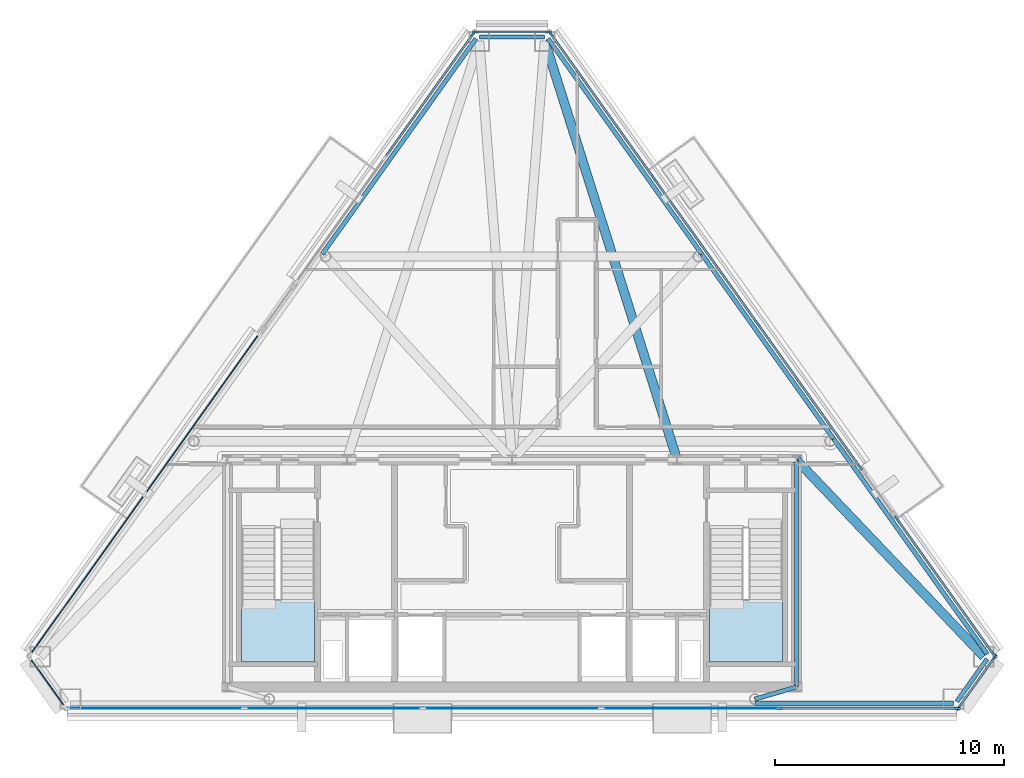
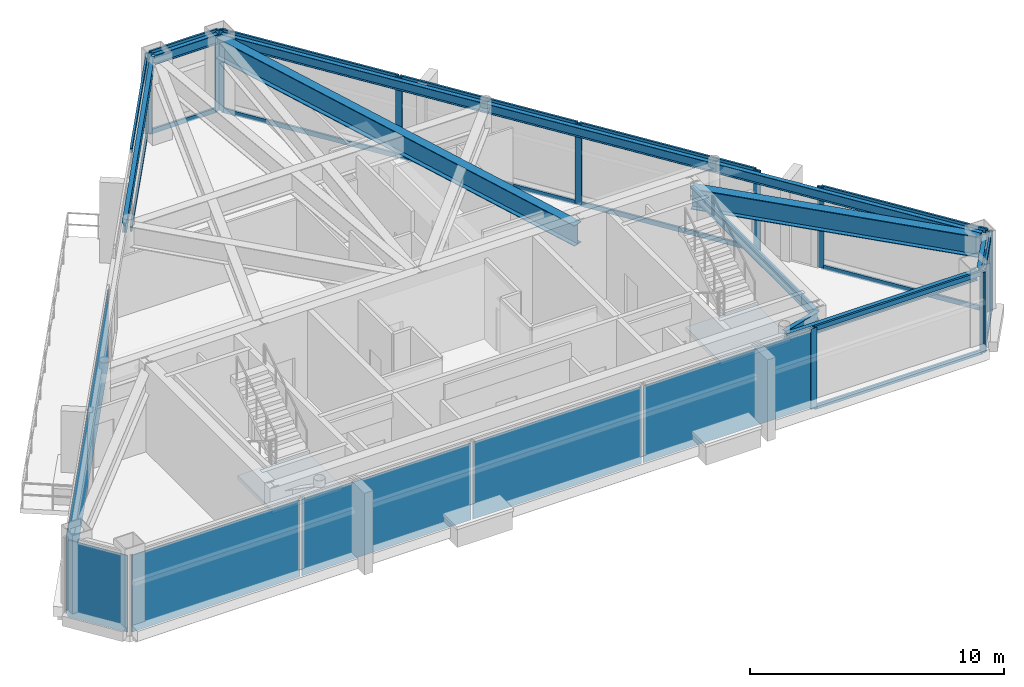
# One storey, part 2 of 7: 29 members, 11 beams, 7 plates, 2 slabs, 10 elements without a shape of their own.
"""IFC4 building model written with IfcOpenShell, lengths in metres."""

import ifcopenshell
import ifcopenshell.guid

model = None  # the IFC model being written
_history = None  # IfcOwnerHistory: only IFC2X3 demands one
_inside = {}  # id of a spatial element -> (the spatial element, [elements in it])
_under = {}  # id of a project, library or spatial element -> (it, [spatial elements below it])
_declared = {}  # id of a project -> (the project, [libraries it declares])
_typed = {}  # id of a type object -> (the type object, [elements of that type])
_made_of = {}  # id of a material, layer set ... -> (it, [elements and type objects made of it])


def new_model(schema):
    """Start an empty IFC model of exactly this schema.

    Asked for "IFC4X3", IfcOpenShell would pick the latest addendum, in which some entities
    have other attributes; the version numbers below select the first issue.
    IFC2X3 requires an IfcOwnerHistory on every rooted entity: one is made here for all.
    """
    global model, _history
    if schema == "IFC4X3":
        model = ifcopenshell.file(schema_version=(4, 3, 0, 0))
    else:
        model = ifcopenshell.file(schema=schema)
    _inside.clear()
    _under.clear()
    _declared.clear()
    _typed.clear()
    _made_of.clear()
    _history = None
    if model.schema == "IFC2X3":
        org = make("IfcOrganization", Name="unknown")
        user = make(
            "IfcPersonAndOrganization",
            ThePerson=make("IfcPerson", FamilyName="unknown"),
            TheOrganization=org,
        )
        app = make(
            "IfcApplication",
            ApplicationDeveloper=org,
            Version="unknown",
            ApplicationFullName="unknown",
            ApplicationIdentifier="unknown",
        )
        _history = make(
            "IfcOwnerHistory",
            OwningUser=user,
            OwningApplication=app,
            ChangeAction="ADDED",
            CreationDate=0,
        )
    return model


def make(cls, **values):
    """One entity of the class cls with the attributes given. An attribute that is None is left unset."""
    return model.create_entity(
        cls, **{name: value for name, value in values.items() if value is not None}
    )


def rooted(cls, **values):
    """An entity with a GlobalId (a new one), such as an element, a storey or a relation."""
    return make(cls, GlobalId=ifcopenshell.guid.new(), OwnerHistory=_history, **values)


def si_unit(unit_type, name, prefix=None):
    """IfcSIUnit, for example si_unit("LENGTHUNIT", "METRE", prefix="MILLI")."""
    return make("IfcSIUnit", UnitType=unit_type, Prefix=prefix, Name=name)


def assignment(units):
    """IfcUnitAssignment: the units of a project."""
    return None if units is None else make("IfcUnitAssignment", Units=units)


def point(xyz):
    """IfcCartesianPoint."""
    return None if xyz is None else make("IfcCartesianPoint", Coordinates=xyz)


def direction(xyz):
    """IfcDirection."""
    return None if xyz is None else make("IfcDirection", DirectionRatios=xyz)


def frame(location, z_axis=None, x_axis=None):
    """IfcAxis2Placement3D, a coordinate frame: its origin and axes. An axis left out is left unset."""
    return make(
        "IfcAxis2Placement3D",
        Location=point(location),
        Axis=direction(z_axis),
        RefDirection=direction(x_axis),
    )


def frame_2d(location, x_axis=None):
    """IfcAxis2Placement2D, a coordinate frame in the plane: its origin and x axis."""
    return make(
        "IfcAxis2Placement2D", Location=point(location), RefDirection=direction(x_axis)
    )


def origin():
    """The frame at (0, 0, 0) with its axes left unset."""
    return frame((0.0, 0.0, 0.0))


def origin_2d():
    """The frame at (0, 0) in the plane with its x axis left unset."""
    return frame_2d((0.0, 0.0))


def place(relative_to, where):
    """IfcLocalPlacement: puts the frame where relative to a parent placement (None: the world)."""
    return make(
        "IfcLocalPlacement", PlacementRelTo=relative_to, RelativePlacement=where
    )


def context(
    kind, dimensions, precision=None, world=None, true_north=None, identifier=None
):
    """IfcGeometricRepresentationContext, for example the 3D "Model" context."""
    return make(
        "IfcGeometricRepresentationContext",
        ContextIdentifier=identifier,
        ContextType=kind,
        CoordinateSpaceDimension=dimensions,
        Precision=precision,
        WorldCoordinateSystem=world,
        TrueNorth=true_north,
    )


def subcontext(parent, identifier, kind, view, scale=None):
    """IfcGeometricRepresentationSubContext, for example "Body" below "Model"."""
    return make(
        "IfcGeometricRepresentationSubContext",
        ContextIdentifier=identifier,
        ContextType=kind,
        ParentContext=parent,
        TargetScale=scale,
        TargetView=view,
    )


def project(units=None, contexts=None):
    """IfcProject with its units and contexts."""
    return rooted(
        "IfcProject",
        Name="project",
        RepresentationContexts=contexts,
        UnitsInContext=assignment(units),
    )


def spatial(cls, under=None, at=None, **own):
    """A site, building, storey or space (cls), placed at a placement, below another one or the project."""
    s = rooted(cls, ObjectPlacement=at, **own)
    if under is not None:
        _under.setdefault(under.id(), (under, []))[1].append(s)
    return s


def polyline(points):
    """IfcPolyline through the points."""
    return make("IfcPolyline", Points=[point(p) for p in points])


def profile(cls, at=None, kind="AREA", **sizes):
    """A parametric profile (cls). Its sizes go by their IFC names, for example OverallWidth=200.0."""
    return make(cls, ProfileType=kind, Position=at, **sizes)


def rectangle(**sizes):
    """IfcRectangleProfileDef."""
    return profile("IfcRectangleProfileDef", **sizes)


def i_section(**sizes):
    """IfcIShapeProfileDef."""
    return profile("IfcIShapeProfileDef", **sizes)


def outline(outer, holes=None, kind="AREA"):
    """IfcArbitraryClosedProfileDef: a profile drawn as a closed curve; with holes, ...WithVoids."""
    if holes is None:
        return make("IfcArbitraryClosedProfileDef", ProfileType=kind, OuterCurve=outer)
    return make(
        "IfcArbitraryProfileDefWithVoids",
        ProfileType=kind,
        OuterCurve=outer,
        InnerCurves=holes,
    )


def extrude(swept, where, along, depth):
    """IfcExtrudedAreaSolid: the profile swept, set in the frame where, extruded along a direction by depth."""
    return make(
        "IfcExtrudedAreaSolid",
        SweptArea=swept,
        Position=where,
        ExtrudedDirection=direction(along),
        Depth=depth,
    )


def shape(context_of_items, identifier, shape_type, items):
    """IfcShapeRepresentation: the items that make up one representation, for example the "Body"."""
    return make(
        "IfcShapeRepresentation",
        ContextOfItems=context_of_items,
        RepresentationIdentifier=identifier,
        RepresentationType=shape_type,
        Items=items,
    )


def source(mapping_origin, context_of_items, identifier, shape_type, items):
    """IfcRepresentationMap: a shape defined once, which mapped items show again and again."""
    return make(
        "IfcRepresentationMap",
        MappingOrigin=mapping_origin,
        MappedRepresentation=shape(context_of_items, identifier, shape_type, items),
    )


def transform(
    local_origin,
    x_axis=None,
    y_axis=None,
    z_axis=None,
    scale=None,
    scale2=None,
    scale3=None,
    uniform=True,
):
    """IfcCartesianTransformationOperator3D, or its non-uniform kind. x_axis, y_axis, z_axis: its Axis1, 2, 3."""
    if uniform:
        return make(
            "IfcCartesianTransformationOperator3D",
            Axis1=direction(x_axis),
            Axis2=direction(y_axis),
            LocalOrigin=point(local_origin),
            Scale=scale,
            Axis3=direction(z_axis),
        )
    return make(
        "IfcCartesianTransformationOperator3DnonUniform",
        Axis1=direction(x_axis),
        Axis2=direction(y_axis),
        LocalOrigin=point(local_origin),
        Scale=scale,
        Axis3=direction(z_axis),
        Scale2=scale2,
        Scale3=scale3,
    )


def mapped(mapping_source, mapping_target):
    """IfcMappedItem: shows the shape of a source again, moved by a transform."""
    return make(
        "IfcMappedItem", MappingSource=mapping_source, MappingTarget=mapping_target
    )


def material(Name=None, Category=None):
    """IfcMaterial."""
    return make("IfcMaterial", Name=Name, Category=Category)


def layer(
    of_material, thickness, ventilated=None, Name=None, Category=None, Priority=None
):
    """IfcMaterialLayer: one layer of a wall or slab, of a material (None: an air gap)."""
    return make(
        "IfcMaterialLayer",
        Material=of_material,
        LayerThickness=thickness,
        IsVentilated=ventilated,
        Name=Name,
        Category=Category,
        Priority=Priority,
    )


def layer_set(layers, Name=None):
    """IfcMaterialLayerSet."""
    return make("IfcMaterialLayerSet", MaterialLayers=layers, LayerSetName=Name)


def material_profile(
    of_material, cross_section, Name=None, Category=None, Priority=None
):
    """IfcMaterialProfile: a cross section and its material."""
    return make(
        "IfcMaterialProfile",
        Name=Name,
        Material=of_material,
        Profile=cross_section,
        Priority=Priority,
        Category=Category,
    )


def profile_set(profiles, Name=None, composite=None):
    """IfcMaterialProfileSet."""
    return make(
        "IfcMaterialProfileSet",
        Name=Name,
        MaterialProfiles=profiles,
        CompositeProfile=composite,
    )


def made_of(thing, what):
    """Note that an element or type object is made of a material, layer set ...; save() writes the relation."""
    if what is not None:
        _made_of.setdefault(what.id(), (what, []))[1].append(thing)
    return thing


def type_object(cls, material=None, **own):
    """A type object (cls), such as IfcWallType, which elements share."""
    return made_of(rooted(cls, **own), material)


def type_shapes(of_type, sources):
    """Give a type object the sources (RepresentationMaps) that its elements show as mapped items."""
    of_type.RepresentationMaps = sources


def element(
    cls,
    number,
    at=None,
    inside=None,
    cuts=None,
    type_object=None,
    material=None,
    context=None,
    identifier="Body",
    shape_type=None,
    held_by="IfcProductDefinitionShape",
    body=None,
    shapes=None,
    **own,
):
    """One element of the class cls, such as IfcWall. Its Tag is "e" and its number.

    at: its placement. inside: the storey or other place that contains it. cuts: it is an
    opening in that element (IfcRelVoidsElement). A single representation is given by context,
    identifier, shape_type and body (its items); several are given by shapes. held_by: the class
    of the entity that holds the representations. save() writes the other relations.
    """
    e = rooted(cls, Tag="e%d" % number, ObjectPlacement=at, **own)
    if body is not None:
        shapes = [shape(context, identifier, shape_type, body)]
    if shapes is not None:
        e.Representation = make(held_by, Representations=shapes)
    if inside is not None:
        _inside.setdefault(inside.id(), (inside, []))[1].append(e)
    if cuts is not None:
        rooted(
            "IfcRelVoidsElement", RelatingBuildingElement=cuts, RelatedOpeningElement=e
        )
    if type_object is not None:
        _typed.setdefault(type_object.id(), (type_object, []))[1].append(e)
    return made_of(e, material)


def aggregate(whole, parts):
    """IfcRelAggregates: a whole, such as a stair, and the parts it consists of."""
    return rooted("IfcRelAggregates", RelatingObject=whole, RelatedObjects=parts)


def save(model, path):
    """Write the relations noted so far, then the file.

    IfcRelAggregates (storeys below a building ...), IfcRelContainedInSpatialStructure (elements
    in a storey), IfcRelDefinesByType, IfcRelAssociatesMaterial and IfcRelDeclares: one each for
    every whole, place, type object, material and project.
    """
    for whole, parts in _under.values():
        aggregate(whole, parts)
    for where, things in _inside.values():
        rooted(
            "IfcRelContainedInSpatialStructure",
            RelatedElements=things,
            RelatingStructure=where,
        )
    for kind, things in _typed.values():
        rooted("IfcRelDefinesByType", RelatedObjects=things, RelatingType=kind)
    for what, things in _made_of.values():
        rooted("IfcRelAssociatesMaterial", RelatedObjects=things, RelatingMaterial=what)
    for by, libraries in _declared.values():
        rooted("IfcRelDeclares", RelatingContext=by, RelatedDefinitions=libraries)
    model.write(path)


model = new_model("IFC4")

# Units and contexts
model_context = context("Model", 3, precision=1e-05, world=origin(), true_north=direction((0.0, 1.0)))
body_context = subcontext(model_context, "Body", "Model", "MODEL_VIEW")
ifc_project = project(units=[si_unit("LENGTHUNIT", "METRE"), si_unit("AREAUNIT", "SQUARE_METRE"), si_unit("VOLUMEUNIT", "CUBIC_METRE"), si_unit("PLANEANGLEUNIT", "RADIAN"), si_unit("MASSUNIT", "GRAM", prefix="KILO")], contexts=[model_context])

# Site, building, storey
site_placement = place(None, origin())
site = spatial("IfcSite", under=ifc_project, at=site_placement, CompositionType="ELEMENT")
building_placement = place(site_placement, origin())
building = spatial("IfcBuilding", under=site, at=building_placement, Name="Talgorran Terracotta Tower", CompositionType="ELEMENT")
storey_placement = place(building_placement, frame((0.0, 0.0, 293.39990234375)))
storey = spatial("IfcBuildingStorey", under=building, at=storey_placement, Name="L77", CompositionType="ELEMENT", Elevation=293.39990234375)

# Beams
ifc_material_1 = material(Name="Steel Grade 350 (350L0)", Category="steel")
ifc_material_profile_1 = material_profile(ifc_material_1, i_section(OverallWidth=0.39990234375, OverallDepth=1.0, WebThickness=0.01611328125, FlangeThickness=0.031005859375, at=origin_2d()), Name="1000WB296")
ifc_profile_set_1 = profile_set([ifc_material_profile_1], Name="Steel Grade 350 (350L0)")
beam_type_1 = type_object("IfcBeamType", Name="BM_1000WB296", PredefinedType="BEAM", material=ifc_profile_set_1)
beam_1_placement = place(storey_placement, frame((7.199951171875, -4.199951171875, 3.380126953125), z_axis=(-0.301538397756, 0.953454033857, 0.0), x_axis=(-0.953454033857, -0.301538397756, 0.0)))
element("IfcBeam", 1, at=beam_1_placement, inside=storey, type_object=beam_type_1, Name="L77 Observation/Crown Girder OG2", PredefinedType="BEAM", context=body_context, shape_type="SweptSolid", body=[
    extrude(i_section(OverallWidth=0.39990234375, OverallDepth=1.0, WebThickness=0.01611328125, FlangeThickness=0.031005859375, at=origin_2d()), origin(), (0.0, 0.0, 1.0), 19.145751953125),
])
beam_2_placement = place(storey_placement, frame((12.39990234375, -4.199951171875, 3.380126953125), z_axis=(0.689671131697, -0.724122731382, 0.0), x_axis=(0.724122731382, 0.689671131697, 0.0)))
element("IfcBeam", 2, at=beam_2_placement, inside=storey, type_object=beam_type_1, Name="L77 Observation/Crown Girder OG7", PredefinedType="BEAM", context=body_context, shape_type="SweptSolid", body=[
    extrude(i_section(OverallWidth=0.39990234375, OverallDepth=1.0, WebThickness=0.01611328125, FlangeThickness=0.031005859375, at=origin_2d()), origin(), (0.0, 0.0, 1.0), 11.841552734375),
])
ifc_material_2 = material(Name="Steel S355 (300PLUS)", Category="steel")
ifc_material_profile_2 = material_profile(ifc_material_2, i_section(OverallWidth=0.18994140625, OverallDepth=0.45703125, WebThickness=0.009033203125, FlangeThickness=0.014404296875, at=origin_2d()), Name="460UB74.6")
ifc_profile_set_2 = profile_set([ifc_material_profile_2], Name="Steel S355 (300PLUS)")
beam_type_2 = type_object("IfcBeamType", Name="BM_SP_460UB74", PredefinedType="SPANDREL", material=ifc_profile_set_2)
beam_3_placement = place(storey_placement, frame((10.58349609375, -14.81005859375, 3.651611328125), z_axis=(1.0, 0.0, 0.0), x_axis=(0.0, 1.0, 0.0)))
element("IfcBeam", 3, at=beam_3_placement, inside=storey, type_object=beam_type_2, Name="L77 Perimeter Spandrel Beam FC2-MC3", PredefinedType="SPANDREL", context=body_context, shape_type="SweptSolid", body=[
    extrude(i_section(OverallWidth=0.18994140625, OverallDepth=0.45703125, WebThickness=0.009033203125, FlangeThickness=0.014404296875, at=origin_2d()), origin(), (0.0, 0.0, 1.0), 8.659423828125),
])
beam_4_placement = place(storey_placement, frame((19.389404296875, -14.734619140625, 3.651611328125), z_axis=(0.580772007805, 0.814066259557, 0.0), x_axis=(-0.814066259557, 0.580772007805, 0.0)))
element("IfcBeam", 4, at=beam_4_placement, inside=storey, type_object=beam_type_2, Name="L77 Perimeter Spandrel Beam MC3-MC4", PredefinedType="SPANDREL", context=body_context, shape_type="SweptSolid", body=[
    extrude(i_section(OverallWidth=0.18994140625, OverallDepth=0.45703125, WebThickness=0.009033203125, FlangeThickness=0.014404296875, at=origin_2d()), origin(), (0.0, 0.0, 1.0), 2.279296875),
])
beam_5_placement = place(storey_placement, frame((20.713134765625, -12.670166015625, 3.651611328125), z_axis=(-0.580753577836, 0.81407940757, 0.0), x_axis=(-0.81407940757, -0.580753577836, 0.0)))
element("IfcBeam", 5, at=beam_5_placement, inside=storey, type_object=beam_type_2, Name="L77 Perimeter Spandrel Beam MC4-FC3", PredefinedType="SPANDREL", context=body_context, shape_type="SweptSolid", body=[
    extrude(i_section(OverallWidth=0.18994140625, OverallDepth=0.45703125, WebThickness=0.009033203125, FlangeThickness=0.014404296875, at=origin_2d()), origin(), (0.0, 0.0, 1.0), 11.534912109375),
])
beam_6_placement = place(storey_placement, frame((14.01416015625, -3.27978515625, 3.651611328125), z_axis=(-0.58076625008, 0.814070367209, 0.0), x_axis=(-0.814070367209, -0.58076625008, 0.0)))
element("IfcBeam", 6, at=beam_6_placement, inside=storey, type_object=beam_type_2, Name="L77 Perimeter Spandrel Beam FC3-FC4", PredefinedType="SPANDREL", context=body_context, shape_type="SweptSolid", body=[
    extrude(i_section(OverallWidth=0.18994140625, OverallDepth=0.45703125, WebThickness=0.009033203125, FlangeThickness=0.014404296875, at=origin_2d()), origin(), (0.0, 0.0, 1.0), 9.88671875),
])
beam_7_placement = place(storey_placement, frame((8.272216796875, 4.768798828125, 3.651611328125), z_axis=(-0.580753577836, 0.81407940757, 0.0), x_axis=(-0.81407940757, -0.580753577836, 0.0)))
element("IfcBeam", 7, at=beam_7_placement, inside=storey, type_object=beam_type_2, Name="L77 Perimeter Spandrel Beam FC4-MC5", PredefinedType="SPANDREL", context=body_context, shape_type="SweptSolid", body=[
    extrude(i_section(OverallWidth=0.18994140625, OverallDepth=0.45703125, WebThickness=0.009033203125, FlangeThickness=0.014404296875, at=origin_2d()), origin(), (0.0, 0.0, 1.0), 11.534912109375),
])
beam_8_placement = place(storey_placement, frame((1.4267578125, 14.234619140625, 3.651611328125), z_axis=(-1.0, 0.0, 0.0), x_axis=(0.0, -1.0, 0.0)))
element("IfcBeam", 8, at=beam_8_placement, inside=storey, type_object=beam_type_2, Name="L77 Perimeter Spandrel Beam MC5-MC6", PredefinedType="SPANDREL", context=body_context, shape_type="SweptSolid", body=[
    extrude(i_section(OverallWidth=0.18994140625, OverallDepth=0.45703125, WebThickness=0.009033203125, FlangeThickness=0.014404296875, at=origin_2d()), origin(), (0.0, 0.0, 1.0), 2.853515625),
])
beam_9_placement = place(storey_placement, frame((-1.5732421875, 14.1591796875, 3.651611328125), z_axis=(-0.580753577836, -0.81407940757, 0.0), x_axis=(0.81407940757, -0.580753577836, 0.0)))
element("IfcBeam", 9, at=beam_9_placement, inside=storey, type_object=beam_type_2, Name="L77 Perimeter Spandrel Beam MC6-FC5", PredefinedType="SPANDREL", context=body_context, shape_type="SweptSolid", body=[
    extrude(i_section(OverallWidth=0.18994140625, OverallDepth=0.45703125, WebThickness=0.009033203125, FlangeThickness=0.014404296875, at=origin_2d()), origin(), (0.0, 0.0, 1.0), 11.534912109375),
])
beam_10_placement = place(storey_placement, frame((12.39990234375, -14.10009765625, 3.651611328125), z_axis=(-0.96, -0.28, 0.0), x_axis=(0.28, -0.96, 0.0)))
element("IfcBeam", 10, at=beam_10_placement, inside=storey, type_object=beam_type_2, Name="L77 South-East Core Tie Beam", PredefinedType="SPANDREL", context=body_context, shape_type="SweptSolid", body=[
    extrude(i_section(OverallWidth=0.18994140625, OverallDepth=0.45703125, WebThickness=0.009033203125, FlangeThickness=0.014404296875, at=origin_2d()), origin(), (0.0, 0.0, 1.0), 1.89208984375),
])
beam_11_placement = place(storey_placement, frame((12.39990234375, -14.10009765625, 3.651611328125), z_axis=(0.0, 1.0, 0.0), x_axis=(-1.0, 0.0, 0.0)))
element("IfcBeam", 11, at=beam_11_placement, inside=storey, type_object=beam_type_2, Name="L77 Core Frame Beam CFE", PredefinedType="SPANDREL", context=body_context, shape_type="SweptSolid", body=[
    extrude(i_section(OverallWidth=0.18994140625, OverallDepth=0.45703125, WebThickness=0.009033203125, FlangeThickness=0.014404296875, at=origin_2d()), origin(), (0.0, 0.0, 1.0), 9.900146484375),
])

# Curtain wall, members
ifc_material_3 = material(Name="Structural Laminated Low-Iron")
ifc_layer_1 = layer(ifc_material_3, 0.239990234375, Name="CW_SYS5_SKY_OBS")
ifc_layer_set_1 = layer_set([ifc_layer_1], Name="Structural Laminated Low-Iron")
curtain_wall_type = type_object("IfcCurtainWallType", Name="CW_SYS5_SKY_OBS", PredefinedType="NOTDEFINED", material=ifc_layer_set_1)
curtain_wall_1_placement = place(storey_placement, origin())
curtain_wall_1 = element("IfcCurtainWall", 12, at=curtain_wall_1_placement, inside=storey, type_object=curtain_wall_type, Name="CW-L77-F1", PredefinedType="NOTDEFINED")
ifc_material_4 = material(Name="Architectural Aluminium 6063-T6", Category="aluminium")
ifc_material_profile_3 = material_profile(ifc_material_4, rectangle(XDim=0.090087890625, YDim=0.280029296875, at=origin_2d()), Name="CWM90X280")
ifc_profile_set_3 = profile_set([ifc_material_profile_3], Name="Architectural Aluminium 6063-T6")
member_type_1 = type_object("IfcMemberType", Name="MUL_90X280", PredefinedType="MULLION", material=ifc_profile_set_3)
member_1_placement = place(storey_placement, frame((11.66943359375, -15.030029296875, 0.0), z_axis=(0.0, 0.0, 1.0), x_axis=(0.0, 1.0, 0.0)))
member_1 = element("IfcMember", 13, at=member_1_placement, type_object=member_type_1, Name="CW-L77-1 mullion 5", PredefinedType="MULLION", context=body_context, shape_type="SweptSolid", body=[
    extrude(rectangle(XDim=0.090087890625, YDim=0.280029296875, at=origin_2d()), origin(), (0.0, 0.0, 1.0), 3.880126953125),
])
member_2_placement = place(storey_placement, frame((19.404052734375, -15.030029296875, 0.0), z_axis=(0.0, 0.0, 1.0), x_axis=(0.0, 1.0, 0.0)))
member_2 = element("IfcMember", 14, at=member_2_placement, type_object=member_type_1, Name="CW-L77-1 mullion 6", PredefinedType="MULLION", context=body_context, shape_type="SweptSolid", body=[
    extrude(rectangle(XDim=0.090087890625, YDim=0.280029296875, at=origin_2d()), origin(), (0.0, 0.0, 1.0), 3.880126953125),
])

curtain_wall_2_placement = place(storey_placement, origin())
curtain_wall_2 = element("IfcCurtainWall", 15, at=curtain_wall_2_placement, inside=storey, type_object=curtain_wall_type, Name="CW-L77-F2", PredefinedType="NOTDEFINED")
member_3_placement = place(storey_placement, frame((19.47509765625, -14.993408203125, 0.0), z_axis=(0.0, 0.0, 1.0), x_axis=(-0.814074765018, 0.580760085543, 0.0)))
member_3 = element("IfcMember", 16, at=member_3_placement, type_object=member_type_1, Name="CW-L77-2 mullion 1", PredefinedType="MULLION", context=body_context, shape_type="SweptSolid", body=[
    extrude(rectangle(XDim=0.090087890625, YDim=0.280029296875, at=origin_2d()), origin(), (0.0, 0.0, 1.0), 3.880126953125),
])
member_4_placement = place(storey_placement, frame((21.031982421875, -12.811279296875, 0.0), z_axis=(0.0, 0.0, 1.0), x_axis=(-0.814074765018, 0.580760085543, 0.0)))
member_4 = element("IfcMember", 17, at=member_4_placement, type_object=member_type_1, Name="CW-L77-2 mullion 2", PredefinedType="MULLION", context=body_context, shape_type="SweptSolid", body=[
    extrude(rectangle(XDim=0.090087890625, YDim=0.280029296875, at=origin_2d()), origin(), (0.0, 0.0, 1.0), 3.880126953125),
])

curtain_wall_3_placement = place(storey_placement, origin())
curtain_wall_3 = element("IfcCurtainWall", 18, at=curtain_wall_3_placement, inside=storey, type_object=curtain_wall_type, Name="CW-L77-F40", PredefinedType="NOTDEFINED")
member_5_placement = place(storey_placement, frame((21.008544921875, -12.705322265625, 0.0), z_axis=(0.0, 0.0, 1.0), x_axis=(-0.814068183426, -0.580769311116, 0.0)))
member_5 = element("IfcMember", 19, at=member_5_placement, type_object=member_type_1, Name="CW-L77-40 mullion 1", PredefinedType="MULLION", context=body_context, shape_type="SweptSolid", body=[
    extrude(rectangle(XDim=0.090087890625, YDim=0.280029296875, at=origin_2d()), origin(), (0.0, 0.0, 1.0), 3.880126953125),
])
member_6_placement = place(storey_placement, frame((16.771728515625, -6.766357421875, 0.0), z_axis=(0.0, 0.0, 1.0), x_axis=(-0.814068183426, -0.580769311116, 0.0)))
member_6 = element("IfcMember", 20, at=member_6_placement, type_object=member_type_1, Name="CW-L77-40 mullion 2", PredefinedType="MULLION", context=body_context, shape_type="SweptSolid", body=[
    extrude(rectangle(XDim=0.090087890625, YDim=0.280029296875, at=origin_2d()), origin(), (0.0, 0.0, 1.0), 3.880126953125),
])

curtain_wall_4_placement = place(storey_placement, origin())
curtain_wall_4 = element("IfcCurtainWall", 21, at=curtain_wall_4_placement, inside=storey, type_object=curtain_wall_type, Name="CW-L77-F41", PredefinedType="NOTDEFINED")
member_7_placement = place(storey_placement, frame((15.174560546875, -4.527587890625, 0.0), z_axis=(0.0, 0.0, 1.0), x_axis=(-0.814074897863, -0.58075989933, 0.0)))
member_7 = element("IfcMember", 22, at=member_7_placement, type_object=member_type_1, Name="CW-L77-41 mullion 1", PredefinedType="MULLION", context=body_context, shape_type="SweptSolid", body=[
    extrude(rectangle(XDim=0.090087890625, YDim=0.280029296875, at=origin_2d()), origin(), (0.0, 0.0, 1.0), 3.880126953125),
])
member_8_placement = place(storey_placement, frame((10.685791015625, 1.764404296875, 0.0), z_axis=(0.0, 0.0, 1.0), x_axis=(-0.814074897863, -0.58075989933, 0.0)))
member_8 = element("IfcMember", 23, at=member_8_placement, type_object=member_type_1, Name="CW-L77-41 mullion 2", PredefinedType="MULLION", context=body_context, shape_type="SweptSolid", body=[
    extrude(rectangle(XDim=0.090087890625, YDim=0.280029296875, at=origin_2d()), origin(), (0.0, 0.0, 1.0), 3.880126953125),
])
member_9_placement = place(storey_placement, frame((6.1708984375, 8.09326171875, 0.0), z_axis=(0.0, 0.0, 1.0), x_axis=(-0.814074897863, -0.58075989933, 0.0)))
member_9 = element("IfcMember", 24, at=member_9_placement, type_object=member_type_1, Name="CW-L77-41 mullion 3", PredefinedType="MULLION", context=body_context, shape_type="SweptSolid", body=[
    extrude(rectangle(XDim=0.090087890625, YDim=0.280029296875, at=origin_2d()), origin(), (0.0, 0.0, 1.0), 3.880126953125),
])
member_10_placement = place(storey_placement, frame((1.68212890625, 14.38525390625, 0.0), z_axis=(0.0, 0.0, 1.0), x_axis=(-0.814074897863, -0.58075989933, 0.0)))
member_10 = element("IfcMember", 25, at=member_10_placement, type_object=member_type_1, Name="CW-L77-41 mullion 4", PredefinedType="MULLION", context=body_context, shape_type="SweptSolid", body=[
    extrude(rectangle(XDim=0.090087890625, YDim=0.280029296875, at=origin_2d()), origin(), (0.0, 0.0, 1.0), 3.880126953125),
])

curtain_wall_5_placement = place(storey_placement, origin())
curtain_wall_5 = element("IfcCurtainWall", 26, at=curtain_wall_5_placement, inside=storey, type_object=curtain_wall_type, Name="CW-L77-F4", PredefinedType="NOTDEFINED")
member_11_placement = place(storey_placement, frame((1.587890625, 14.45458984375, 0.0), z_axis=(0.0, 0.0, 1.0), x_axis=(0.0, -1.0, 0.0)))
member_11 = element("IfcMember", 27, at=member_11_placement, type_object=member_type_1, Name="CW-L77-4 mullion 1", PredefinedType="MULLION", context=body_context, shape_type="SweptSolid", body=[
    extrude(rectangle(XDim=0.090087890625, YDim=0.280029296875, at=origin_2d()), origin(), (0.0, 0.0, 1.0), 3.880126953125),
])
member_12_placement = place(storey_placement, frame((-1.587890625, 14.45458984375, 0.0), z_axis=(0.0, 0.0, 1.0), x_axis=(0.0, -1.0, 0.0)))
member_12 = element("IfcMember", 28, at=member_12_placement, type_object=member_type_1, Name="CW-L77-4 mullion 2", PredefinedType="MULLION", context=body_context, shape_type="SweptSolid", body=[
    extrude(rectangle(XDim=0.090087890625, YDim=0.280029296875, at=origin_2d()), origin(), (0.0, 0.0, 1.0), 3.880126953125),
])

# Curtain wall, member
curtain_wall_6_placement = place(storey_placement, origin())
curtain_wall_6 = element("IfcCurtainWall", 29, at=curtain_wall_6_placement, inside=storey, type_object=curtain_wall_type, Name="CW-L77-F60", PredefinedType="NOTDEFINED")
member_13_placement = place(storey_placement, frame((-1.68212890625, 14.38525390625, 0.0), z_axis=(0.0, 0.0, 1.0), x_axis=(0.814072389487, -0.580763415406, 0.0)))
member_13 = element("IfcMember", 30, at=member_13_placement, type_object=member_type_1, Name="CW-L77-60 mullion 1", PredefinedType="MULLION", context=body_context, shape_type="SweptSolid", body=[
    extrude(rectangle(XDim=0.090087890625, YDim=0.280029296875, at=origin_2d()), origin(), (0.0, 0.0, 1.0), 3.880126953125),
])

# Member
ifc_material_profile_4 = material_profile(ifc_material_4, rectangle(XDim=0.090087890625, YDim=0.22509765625, at=origin_2d()), Name="CWT90X225")
ifc_profile_set_4 = profile_set([ifc_material_profile_4], Name="Architectural Aluminium 6063-T6")
member_type_2 = type_object("IfcMemberType", Name="TRN_90X225", PredefinedType="USERDEFINED", material=ifc_profile_set_4)
member_14_placement = place(storey_placement, frame((11.71435546875, -15.030029296875, 0.045166015625), z_axis=(1.0, 0.0, 0.0), x_axis=(0.0, 1.0, 0.0)))
member_14 = element("IfcMember", 31, at=member_14_placement, type_object=member_type_2, Name="CW-L77-1 transom 5.1", ObjectType="TRANSOM", PredefinedType="USERDEFINED", context=body_context, shape_type="SweptSolid", body=[
    extrude(rectangle(XDim=0.090087890625, YDim=0.22509765625, at=origin_2d()), origin(), (0.0, 0.0, 1.0), 7.64453125),
])

member_15_placement = place(storey_placement, frame((11.71435546875, -15.030029296875, 3.835205078125), z_axis=(1.0, 0.0, 0.0), x_axis=(0.0, 1.0, 0.0)))
member_15 = element("IfcMember", 32, at=member_15_placement, type_object=member_type_2, Name="CW-L77-1 transom 5.2", ObjectType="TRANSOM", PredefinedType="USERDEFINED", context=body_context, shape_type="SweptSolid", body=[
    extrude(rectangle(XDim=0.090087890625, YDim=0.22509765625, at=origin_2d()), origin(), (0.0, 0.0, 1.0), 7.64453125),
])

member_16_placement = place(storey_placement, frame((19.501220703125, -14.956787109375, 0.045166015625), z_axis=(0.580738839555, 0.814089921466, 0.0), x_axis=(-0.814089921466, 0.580738839555, 0.0)))
member_16 = element("IfcMember", 33, at=member_16_placement, type_object=member_type_2, Name="CW-L77-2 transom 1.1", ObjectType="TRANSOM", PredefinedType="USERDEFINED", context=body_context, shape_type="SweptSolid", body=[
    extrude(rectangle(XDim=0.090087890625, YDim=0.22509765625, at=origin_2d()), origin(), (0.0, 0.0, 1.0), 2.590576171875),
])

member_17_placement = place(storey_placement, frame((19.501220703125, -14.956787109375, 3.835205078125), z_axis=(0.580738839555, 0.814089921466, 0.0), x_axis=(-0.814089921466, 0.580738839555, 0.0)))
member_17 = element("IfcMember", 34, at=member_17_placement, type_object=member_type_2, Name="CW-L77-2 transom 1.2", ObjectType="TRANSOM", PredefinedType="USERDEFINED", context=body_context, shape_type="SweptSolid", body=[
    extrude(rectangle(XDim=0.090087890625, YDim=0.22509765625, at=origin_2d()), origin(), (0.0, 0.0, 1.0), 2.590576171875),
])

aggregate(curtain_wall_2, [member_3, member_4, member_16, member_17])

member_18_placement = place(storey_placement, frame((20.982421875, -12.668701171875, 0.045166015625), z_axis=(-0.580757317741, 0.814076739559, 0.0), x_axis=(-0.814076739559, -0.580757317741, 0.0)))
member_18 = element("IfcMember", 35, at=member_18_placement, type_object=member_type_2, Name="CW-L77-40 transom 1.1", ObjectType="TRANSOM", PredefinedType="USERDEFINED", context=body_context, shape_type="SweptSolid", body=[
    extrude(rectangle(XDim=0.090087890625, YDim=0.22509765625, at=origin_2d()), origin(), (0.0, 0.0, 1.0), 7.205322265625),
])

member_19_placement = place(storey_placement, frame((20.982421875, -12.668701171875, 3.835205078125), z_axis=(-0.580757317741, 0.814076739559, 0.0), x_axis=(-0.814076739559, -0.580757317741, 0.0)))
member_19 = element("IfcMember", 36, at=member_19_placement, type_object=member_type_2, Name="CW-L77-40 transom 1.2", ObjectType="TRANSOM", PredefinedType="USERDEFINED", context=body_context, shape_type="SweptSolid", body=[
    extrude(rectangle(XDim=0.090087890625, YDim=0.22509765625, at=origin_2d()), origin(), (0.0, 0.0, 1.0), 7.205322265625),
])

aggregate(curtain_wall_3, [member_5, member_6, member_18, member_19])

member_20_placement = place(storey_placement, frame((15.1484375, -4.490966796875, 0.045166015625), z_axis=(-0.580766478794, 0.814070204042, 0.0), x_axis=(-0.814070204042, -0.580766478794, 0.0)))
member_20 = element("IfcMember", 37, at=member_20_placement, type_object=member_type_2, Name="CW-L77-41 transom 1.1", ObjectType="TRANSOM", PredefinedType="USERDEFINED", context=body_context, shape_type="SweptSolid", body=[
    extrude(rectangle(XDim=0.090087890625, YDim=0.22509765625, at=origin_2d()), origin(), (0.0, 0.0, 1.0), 7.63916015625),
])

member_21_placement = place(storey_placement, frame((15.1484375, -4.490966796875, 3.835205078125), z_axis=(-0.580766478794, 0.814070204042, 0.0), x_axis=(-0.814070204042, -0.580766478794, 0.0)))
member_21 = element("IfcMember", 38, at=member_21_placement, type_object=member_type_2, Name="CW-L77-41 transom 1.2", ObjectType="TRANSOM", PredefinedType="USERDEFINED", context=body_context, shape_type="SweptSolid", body=[
    extrude(rectangle(XDim=0.090087890625, YDim=0.22509765625, at=origin_2d()), origin(), (0.0, 0.0, 1.0), 7.63916015625),
])

member_22_placement = place(storey_placement, frame((10.65966796875, 1.801025390625, 0.045166015625), z_axis=(-0.580751212939, 0.814081094652, 0.0), x_axis=(-0.814081094652, -0.580751212939, 0.0)))
member_22 = element("IfcMember", 39, at=member_22_placement, type_object=member_type_2, Name="CW-L77-41 transom 2.1", ObjectType="TRANSOM", PredefinedType="USERDEFINED", context=body_context, shape_type="SweptSolid", body=[
    extrude(rectangle(XDim=0.090087890625, YDim=0.22509765625, at=origin_2d()), origin(), (0.0, 0.0, 1.0), 7.684326171875),
])

member_23_placement = place(storey_placement, frame((10.65966796875, 1.801025390625, 3.835205078125), z_axis=(-0.580751212939, 0.814081094652, 0.0), x_axis=(-0.814081094652, -0.580751212939, 0.0)))
member_23 = element("IfcMember", 40, at=member_23_placement, type_object=member_type_2, Name="CW-L77-41 transom 2.2", ObjectType="TRANSOM", PredefinedType="USERDEFINED", context=body_context, shape_type="SweptSolid", body=[
    extrude(rectangle(XDim=0.090087890625, YDim=0.22509765625, at=origin_2d()), origin(), (0.0, 0.0, 1.0), 7.684326171875),
])

member_24_placement = place(storey_placement, frame((6.144775390625, 8.1298828125, 0.045166015625), z_axis=(-0.580766478794, 0.814070204042, 0.0), x_axis=(-0.814070204042, -0.580766478794, 0.0)))
member_24 = element("IfcMember", 41, at=member_24_placement, type_object=member_type_2, Name="CW-L77-41 transom 3.1", ObjectType="TRANSOM", PredefinedType="USERDEFINED", context=body_context, shape_type="SweptSolid", body=[
    extrude(rectangle(XDim=0.090087890625, YDim=0.22509765625, at=origin_2d()), origin(), (0.0, 0.0, 1.0), 7.63916015625),
])

member_25_placement = place(storey_placement, frame((6.144775390625, 8.1298828125, 3.835205078125), z_axis=(-0.580766478794, 0.814070204042, 0.0), x_axis=(-0.814070204042, -0.580766478794, 0.0)))
member_25 = element("IfcMember", 42, at=member_25_placement, type_object=member_type_2, Name="CW-L77-41 transom 3.2", ObjectType="TRANSOM", PredefinedType="USERDEFINED", context=body_context, shape_type="SweptSolid", body=[
    extrude(rectangle(XDim=0.090087890625, YDim=0.22509765625, at=origin_2d()), origin(), (0.0, 0.0, 1.0), 7.63916015625),
])

aggregate(curtain_wall_4, [member_7, member_8, member_9, member_10, member_20, member_21, member_22, member_23, member_24, member_25])

member_26_placement = place(storey_placement, frame((1.542724609375, 14.45458984375, 0.045166015625), z_axis=(-1.0, 0.0, 0.0), x_axis=(0.0, -1.0, 0.0)))
member_26 = element("IfcMember", 43, at=member_26_placement, type_object=member_type_2, Name="CW-L77-4 transom 1.1", ObjectType="TRANSOM", PredefinedType="USERDEFINED", context=body_context, shape_type="SweptSolid", body=[
    extrude(rectangle(XDim=0.090087890625, YDim=0.22509765625, at=origin_2d()), origin(), (0.0, 0.0, 1.0), 3.08544921875),
])

member_27_placement = place(storey_placement, frame((1.542724609375, 14.45458984375, 3.835205078125), z_axis=(-1.0, 0.0, 0.0), x_axis=(0.0, -1.0, 0.0)))
member_27 = element("IfcMember", 44, at=member_27_placement, type_object=member_type_2, Name="CW-L77-4 transom 1.2", ObjectType="TRANSOM", PredefinedType="USERDEFINED", context=body_context, shape_type="SweptSolid", body=[
    extrude(rectangle(XDim=0.090087890625, YDim=0.22509765625, at=origin_2d()), origin(), (0.0, 0.0, 1.0), 3.08544921875),
])

aggregate(curtain_wall_5, [member_11, member_12, member_26, member_27])

member_28_placement = place(storey_placement, frame((-1.708251953125, 14.3486328125, 0.045166015625), z_axis=(-0.58077696594, -0.814062722297, 0.0), x_axis=(0.814062722297, -0.58077696594, 0.0)))
member_28 = element("IfcMember", 45, at=member_28_placement, type_object=member_type_2, Name="CW-L77-60 transom 1.1", ObjectType="TRANSOM", PredefinedType="USERDEFINED", context=body_context, shape_type="SweptSolid", body=[
    extrude(rectangle(XDim=0.090087890625, YDim=0.22509765625, at=origin_2d()), origin(), (0.0, 0.0, 1.0), 6.560791015625),
])

member_29_placement = place(storey_placement, frame((-1.708251953125, 14.3486328125, 3.835205078125), z_axis=(-0.58077696594, -0.814062722297, 0.0), x_axis=(0.814062722297, -0.58077696594, 0.0)))
member_29 = element("IfcMember", 46, at=member_29_placement, type_object=member_type_2, Name="CW-L77-60 transom 1.2", ObjectType="TRANSOM", PredefinedType="USERDEFINED", context=body_context, shape_type="SweptSolid", body=[
    extrude(rectangle(XDim=0.090087890625, YDim=0.22509765625, at=origin_2d()), origin(), (0.0, 0.0, 1.0), 6.560791015625),
])

aggregate(curtain_wall_6, [member_13, member_28, member_29])

# Stair, slab
ifc_material_5 = material(Name="Concrete C40/50", Category="concrete")
stair_type = type_object("IfcStairType", Name="ST_FIRE_SCISSOR", PredefinedType="HALF_TURN_STAIR", material=ifc_material_5)
stair_1_placement = place(storey_placement, origin())
stair_1 = element("IfcStair", 47, at=stair_1_placement, inside=storey, type_object=stair_type, Name="L77 West Protected Fire Stair ST-01", PredefinedType="HALF_TURN_STAIR")
ifc_layer_2 = layer(ifc_material_5, 0.199951171875, Name="SL_LANDING_200")
ifc_layer_set_2 = layer_set([ifc_layer_2], Name="Concrete C40/50")
slab_type = type_object("IfcSlabType", Name="SL_LANDING_200", PredefinedType="LANDING", material=ifc_layer_set_2)
slab_1_placement = place(storey_placement, frame((0.0, 0.0, 1.900146484375)))
slab_1 = element("IfcSlab", 48, at=slab_1_placement, type_object=slab_type, Name="ST-01 landing 1", PredefinedType="LANDING", context=body_context, shape_type="SweptSolid", body=[
    extrude(outline(polyline([(-11.800048828125, -10.280029296875), (-11.800048828125, -13.0), (-8.60009765625, -13.0), (-8.60009765625, -10.280029296875), (-11.800048828125, -10.280029296875)])), origin(), (0.0, 0.0, 1.0), 0.199951171875),
])
aggregate(stair_1, [slab_1])

stair_2_placement = place(storey_placement, origin())
stair_2 = element("IfcStair", 49, at=stair_2_placement, inside=storey, type_object=stair_type, Name="L77 East Protected Fire Stair ST-02", PredefinedType="HALF_TURN_STAIR")
slab_2_placement = place(storey_placement, frame((0.0, 0.0, 1.900146484375)))
slab_2 = element("IfcSlab", 50, at=slab_2_placement, type_object=slab_type, Name="ST-02 landing 1", PredefinedType="LANDING", context=body_context, shape_type="SweptSolid", body=[
    extrude(outline(polyline([(8.60009765625, -10.280029296875), (8.60009765625, -13.0), (11.800048828125, -13.0), (11.800048828125, -10.280029296875), (8.60009765625, -10.280029296875)])), origin(), (0.0, 0.0, 1.0), 0.199951171875),
])
aggregate(stair_2, [slab_2])

# Curtain wall, plate
curtain_wall_7_placement = place(storey_placement, origin())
curtain_wall_7 = element("IfcCurtainWall", 51, at=curtain_wall_7_placement, inside=storey, type_object=curtain_wall_type, Name="CW-L77-F0", PredefinedType="NOTDEFINED")
ifc_material_6 = material(Name="Low-Iron Structural Vision Glass", Category="glass")
ifc_layer_3 = layer(ifc_material_6, 0.035888671875, Name="PLT_LOWIRON_36")
ifc_layer_set_3 = layer_set([ifc_layer_3], Name="Low-Iron Structural Vision Glass")
plate_type = type_object("IfcPlateType", Name="PLT_LOWIRON_36", PredefinedType="CURTAIN_PANEL", material=ifc_layer_set_3)
shared_shape_1 = source(origin(), body_context, "Body", "SweptSolid", [
    extrude(rectangle(XDim=2.590576171875, YDim=0.035888671875, at=origin_2d()), origin(), (0.0, 0.0, 1.0), 3.699951171875),
])
plate_1_placement = place(storey_placement, frame((-20.25341796875, -13.90234375, 0.09033203125), z_axis=(0.0, 0.0, 1.0), x_axis=(0.580760085543, -0.814074765018, 0.0)))
plate_1 = element("IfcPlate", 52, at=plate_1_placement, type_object=plate_type, Name="CW-L77-0 panel 1.1", PredefinedType="CURTAIN_PANEL", context=body_context, shape_type="MappedRepresentation", body=[
    mapped(shared_shape_1, transform((0.0, 0.0, 0.0), scale=1.0)),
])
aggregate(curtain_wall_7, [plate_1])

# Plate
shared_shape_2 = source(origin(), body_context, "Body", "SweptSolid", [
    extrude(rectangle(XDim=7.64453125, YDim=0.035888671875, at=origin_2d()), origin(), (0.0, 0.0, 1.0), 3.699951171875),
])
plate_2_placement = place(storey_placement, frame((-15.53662109375, -15.030029296875, 0.09033203125), z_axis=(0.0, 0.0, 1.0), x_axis=(1.0, 0.0, 0.0)))
plate_2 = element("IfcPlate", 53, at=plate_2_placement, type_object=plate_type, Name="CW-L77-1 panel 1.1", PredefinedType="CURTAIN_PANEL", context=body_context, shape_type="MappedRepresentation", body=[
    mapped(shared_shape_2, transform((0.0, 0.0, 0.0), scale=1.0)),
])

shared_shape_3 = source(origin(), body_context, "Body", "SweptSolid", [
    extrude(rectangle(XDim=7.689697265625, YDim=0.035888671875, at=origin_2d()), origin(), (0.0, 0.0, 1.0), 3.699951171875),
])
plate_3_placement = place(storey_placement, frame((-7.779541015625, -15.030029296875, 0.09033203125), z_axis=(0.0, 0.0, 1.0), x_axis=(1.0, 0.0, 0.0)))
plate_3 = element("IfcPlate", 54, at=plate_3_placement, type_object=plate_type, Name="CW-L77-1 panel 2.1", PredefinedType="CURTAIN_PANEL", context=body_context, shape_type="MappedRepresentation", body=[
    mapped(shared_shape_3, transform((0.0, 0.0, 0.0), scale=1.0)),
])

plate_4_placement = place(storey_placement, frame((0.0, -15.030029296875, 0.09033203125), z_axis=(0.0, 0.0, 1.0), x_axis=(1.0, 0.0, 0.0)))
plate_4 = element("IfcPlate", 55, at=plate_4_placement, type_object=plate_type, Name="CW-L77-1 panel 3.1", PredefinedType="CURTAIN_PANEL", context=body_context, shape_type="MappedRepresentation", body=[
    mapped(shared_shape_3, transform((0.0, 0.0, 0.0), scale=1.0)),
])

plate_5_placement = place(storey_placement, frame((7.779541015625, -15.030029296875, 0.09033203125), z_axis=(0.0, 0.0, 1.0), x_axis=(1.0, 0.0, 0.0)))
plate_5 = element("IfcPlate", 56, at=plate_5_placement, type_object=plate_type, Name="CW-L77-1 panel 4.1", PredefinedType="CURTAIN_PANEL", context=body_context, shape_type="MappedRepresentation", body=[
    mapped(shared_shape_3, transform((0.0, 0.0, 0.0), scale=1.0)),
])

aggregate(curtain_wall_1, [member_1, member_2, plate_2, plate_3, plate_4, plate_5, member_14, member_15])

# Curtain wall, plates
curtain_wall_8_placement = place(storey_placement, origin())
curtain_wall_8 = element("IfcCurtainWall", 57, at=curtain_wall_8_placement, inside=storey, type_object=curtain_wall_type, Name="CW-L77-F61", PredefinedType="NOTDEFINED")
shared_shape_4 = source(origin(), body_context, "Body", "SweptSolid", [
    extrude(rectangle(XDim=8.523193359375, YDim=0.035888671875, at=origin_2d()), origin(), (0.0, 0.0, 1.0), 3.699951171875),
])
type_shapes(plate_type, [shared_shape_1, shared_shape_2, shared_shape_3, shared_shape_4])
plate_6_placement = place(storey_placement, frame((-13.50537109375, -2.187744140625, 0.09033203125), z_axis=(0.0, 0.0, 1.0), x_axis=(-0.580761194272, -0.814073974051, 0.0)))
plate_6 = element("IfcPlate", 58, at=plate_6_placement, type_object=plate_type, Name="CW-L77-61 panel 1.1", PredefinedType="CURTAIN_PANEL", context=body_context, shape_type="MappedRepresentation", body=[
    mapped(shared_shape_4, transform((0.0, 0.0, 0.0), scale=1.0)),
])
plate_7_placement = place(storey_placement, frame((-18.507568359375, -9.199462890625, 0.09033203125), z_axis=(0.0, 0.0, 1.0), x_axis=(-0.580761194272, -0.814073974051, 0.0)))
plate_7 = element("IfcPlate", 59, at=plate_7_placement, type_object=plate_type, Name="CW-L77-61 panel 2.1", PredefinedType="CURTAIN_PANEL", context=body_context, shape_type="MappedRepresentation", body=[
    mapped(shared_shape_4, transform((0.0, 0.0, 0.0), scale=1.0)),
])
aggregate(curtain_wall_8, [plate_6, plate_7])

save(model, "model.ifc")
